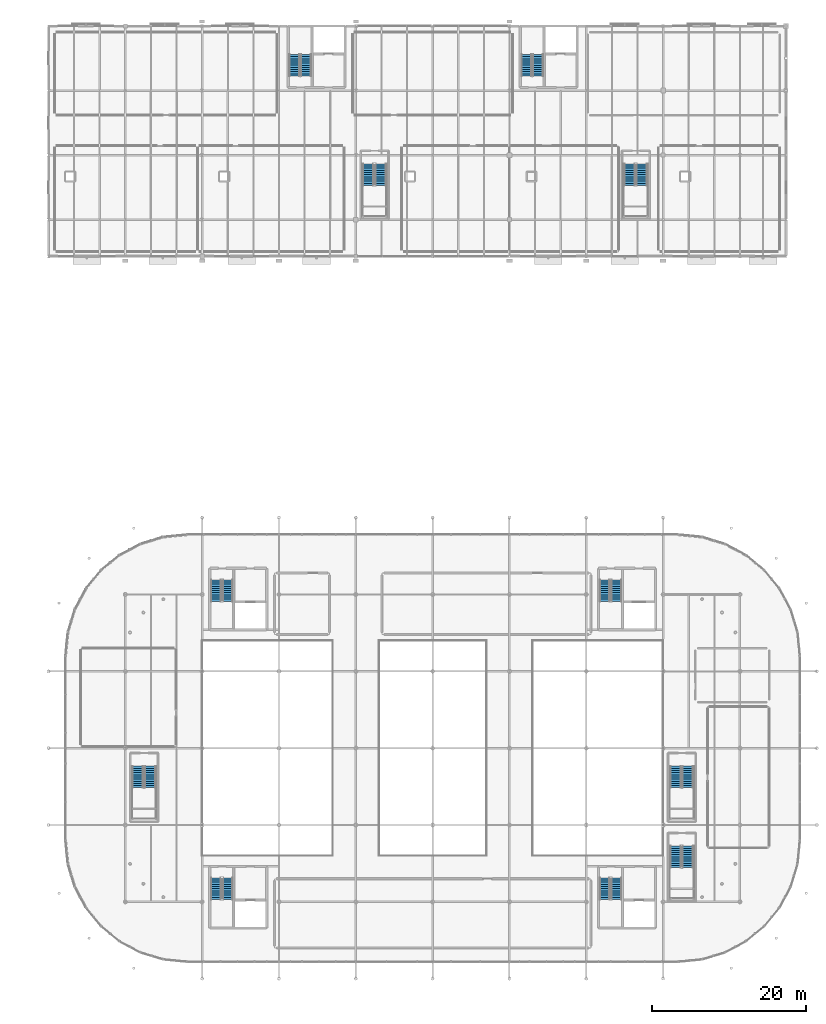
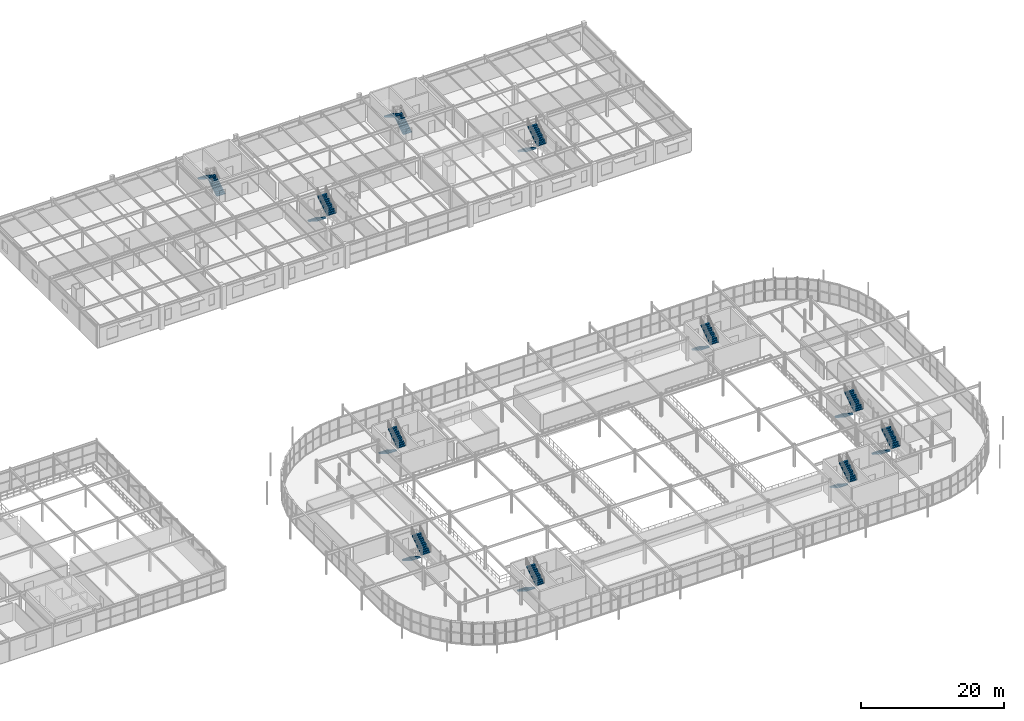
# One storey, part 83 of 98: 22 stair flights, 11 elements without a shape of their own.
"""IFC4 building model written with IfcOpenShell, lengths in metres."""

from ifc_helpers import new_model, si_unit, derived_unit, direction, frame, origin, place, context, subcontext, project, spatial, polyline, outline, extrude, material, type_object, element, aggregate, save


model = new_model("IFC4")

# Units and contexts
model_context = context("Model", 3, precision=1e-05, world=origin(), true_north=direction((0.0, 1.0)))
body_context = subcontext(model_context, "Body", "Model", "MODEL_VIEW")
ifc_project = project(units=[si_unit("LENGTHUNIT", "METRE"), si_unit("AREAUNIT", "SQUARE_METRE"), si_unit("VOLUMEUNIT", "CUBIC_METRE"), si_unit("PLANEANGLEUNIT", "RADIAN"), si_unit("MASSUNIT", "GRAM", prefix="KILO"), derived_unit("THERMALTRANSMITTANCEUNIT", [(si_unit("POWERUNIT", "WATT"), 1), (si_unit("LENGTHUNIT", "METRE"), -2), (si_unit("THERMODYNAMICTEMPERATUREUNIT", "KELVIN"), -1)])], contexts=[model_context])

# Site, building, storey
site_placement = place(None, origin())
site = spatial("IfcSite", under=ifc_project, at=site_placement, CompositionType="ELEMENT")
building_placement = place(site_placement, origin())
building = spatial("IfcBuilding", under=site, at=building_placement, Name="Cinnabar Yard Market Hall", CompositionType="ELEMENT")
storey_placement = place(building_placement, frame((0.0, 0.0, 4.5)))
storey = spatial("IfcBuildingStorey", under=building, at=storey_placement, Name="L01", CompositionType="ELEMENT", Elevation=4.5)

# Stair, stair flights
ifc_material_1 = material(Name="Concrete 40 MPa", Category="concrete")
stair_type_1 = type_object("IfcStairType", Name="ST-CORE", PredefinedType="HALF_TURN_STAIR", material=ifc_material_1)
stair_1_placement = place(storey_placement, origin())
stair_1 = element("IfcStair", 1, at=stair_1_placement, inside=storey, type_object=stair_type_1, Name="L01 Market Hall South-West Core Stair", PredefinedType="HALF_TURN_STAIR")
stair_flight_type_1 = type_object("IfcStairFlightType", Name="STF-CORE", PredefinedType="STRAIGHT", material=ifc_material_1)
stair_flight_1_placement = place(storey_placement, frame((87.81494140625, 27.110107421875, 0.0), z_axis=(0.0, 0.0, 1.0), x_axis=(0.0, -1.0, 0.0)))
stair_flight_1 = element("IfcStairFlight", 2, at=stair_flight_1_placement, type_object=stair_flight_type_1, Name="ST-C1 flight 1", NumberOfRisers=11, NumberOfTreads=10, PredefinedType="STRAIGHT", RiserHeight=0.177272727, TreadLength=0.28, context=body_context, shape_type="SweptSolid", body=[
    extrude(outline(polyline([(0.0, 0.0), (0.0, 0.17724609375), (0.280029296875, 0.17724609375), (0.280029296875, 0.3544921875), (0.56005859375, 0.3544921875), (0.56005859375, 0.53173828125), (0.840087890625, 0.53173828125), (0.840087890625, 0.708984375), (1.1201171875, 0.708984375), (1.1201171875, 0.886474609375), (1.39990234375, 0.886474609375), (1.39990234375, 1.063720703125), (1.679931640625, 1.063720703125), (1.679931640625, 1.240966796875), (1.9599609375, 1.240966796875), (1.9599609375, 1.418212890625), (2.239990234375, 1.418212890625), (2.239990234375, 1.595458984375), (2.52001953125, 1.595458984375), (2.52001953125, 1.772705078125), (2.800048828125, 1.772705078125), (2.800048828125, 1.949951171875), (2.800048828125, 1.59521484375), (0.2802734375, 0.0), (0.0, 0.0)])), frame((0.0, 0.675048828125, 0.0), z_axis=(0.0, -1.0, 0.0), x_axis=(1.0, 0.0, 0.0)), (0.0, 0.0, 1.0), 1.35009765625),
])
stair_flight_2_placement = place(storey_placement, frame((89.324951171875, 24.31005859375, 1.949951171875), z_axis=(0.0, 0.0, 1.0), x_axis=(0.0, 1.0, 0.0)))
stair_flight_2 = element("IfcStairFlight", 3, at=stair_flight_2_placement, type_object=stair_flight_type_1, Name="ST-C1 flight 2", NumberOfRisers=11, NumberOfTreads=10, PredefinedType="STRAIGHT", RiserHeight=0.177272727, TreadLength=0.28, context=body_context, shape_type="SweptSolid", body=[
    extrude(outline(polyline([(0.0, 0.0), (0.0, 0.17724609375), (0.280029296875, 0.17724609375), (0.280029296875, 0.3544921875), (0.56005859375, 0.3544921875), (0.56005859375, 0.53173828125), (0.840087890625, 0.53173828125), (0.840087890625, 0.708984375), (1.1201171875, 0.708984375), (1.1201171875, 0.886474609375), (1.39990234375, 0.886474609375), (1.39990234375, 1.063720703125), (1.679931640625, 1.063720703125), (1.679931640625, 1.240966796875), (1.9599609375, 1.240966796875), (1.9599609375, 1.418212890625), (2.239990234375, 1.418212890625), (2.239990234375, 1.595458984375), (2.52001953125, 1.595458984375), (2.52001953125, 1.772705078125), (2.800048828125, 1.772705078125), (2.800048828125, 1.949951171875), (2.800048828125, 1.59521484375), (0.2802734375, 0.0), (0.0, 0.0)])), frame((0.0, 0.675048828125, 0.0), z_axis=(0.0, -1.0, 0.0), x_axis=(1.0, 0.0, 0.0)), (0.0, 0.0, 1.0), 1.35009765625),
])
aggregate(stair_1, [stair_flight_1, stair_flight_2])

stair_2_placement = place(storey_placement, origin())
stair_2 = element("IfcStair", 4, at=stair_2_placement, inside=storey, type_object=stair_type_1, Name="L01 Market Hall South-East Core Stair", PredefinedType="HALF_TURN_STAIR")
stair_flight_3_placement = place(storey_placement, frame((138.4150390625, 27.110107421875, 0.0), z_axis=(0.0, 0.0, 1.0), x_axis=(0.0, -1.0, 0.0)))
stair_flight_3 = element("IfcStairFlight", 5, at=stair_flight_3_placement, type_object=stair_flight_type_1, Name="ST-C2 flight 1", NumberOfRisers=11, NumberOfTreads=10, PredefinedType="STRAIGHT", RiserHeight=0.177272727, TreadLength=0.28, context=body_context, shape_type="SweptSolid", body=[
    extrude(outline(polyline([(0.0, 0.0), (0.0, 0.17724609375), (0.280029296875, 0.17724609375), (0.280029296875, 0.3544921875), (0.56005859375, 0.3544921875), (0.56005859375, 0.53173828125), (0.840087890625, 0.53173828125), (0.840087890625, 0.708984375), (1.1201171875, 0.708984375), (1.1201171875, 0.886474609375), (1.39990234375, 0.886474609375), (1.39990234375, 1.063720703125), (1.679931640625, 1.063720703125), (1.679931640625, 1.240966796875), (1.9599609375, 1.240966796875), (1.9599609375, 1.418212890625), (2.239990234375, 1.418212890625), (2.239990234375, 1.595458984375), (2.52001953125, 1.595458984375), (2.52001953125, 1.772705078125), (2.800048828125, 1.772705078125), (2.800048828125, 1.949951171875), (2.800048828125, 1.59521484375), (0.2802734375, 0.0), (0.0, 0.0)])), frame((0.0, 0.675048828125, 0.0), z_axis=(0.0, -1.0, 0.0), x_axis=(1.0, 0.0, 0.0)), (0.0, 0.0, 1.0), 1.35009765625),
])
stair_flight_4_placement = place(storey_placement, frame((139.925048828125, 24.31005859375, 1.949951171875), z_axis=(0.0, 0.0, 1.0), x_axis=(0.0, 1.0, 0.0)))
stair_flight_4 = element("IfcStairFlight", 6, at=stair_flight_4_placement, type_object=stair_flight_type_1, Name="ST-C2 flight 2", NumberOfRisers=11, NumberOfTreads=10, PredefinedType="STRAIGHT", RiserHeight=0.177272727, TreadLength=0.28, context=body_context, shape_type="SweptSolid", body=[
    extrude(outline(polyline([(0.0, 0.0), (0.0, 0.17724609375), (0.280029296875, 0.17724609375), (0.280029296875, 0.3544921875), (0.56005859375, 0.3544921875), (0.56005859375, 0.53173828125), (0.840087890625, 0.53173828125), (0.840087890625, 0.708984375), (1.1201171875, 0.708984375), (1.1201171875, 0.886474609375), (1.39990234375, 0.886474609375), (1.39990234375, 1.063720703125), (1.679931640625, 1.063720703125), (1.679931640625, 1.240966796875), (1.9599609375, 1.240966796875), (1.9599609375, 1.418212890625), (2.239990234375, 1.418212890625), (2.239990234375, 1.595458984375), (2.52001953125, 1.595458984375), (2.52001953125, 1.772705078125), (2.800048828125, 1.772705078125), (2.800048828125, 1.949951171875), (2.800048828125, 1.59521484375), (0.2802734375, 0.0), (0.0, 0.0)])), frame((0.0, 0.675048828125, 0.0), z_axis=(0.0, -1.0, 0.0), x_axis=(1.0, 0.0, 0.0)), (0.0, 0.0, 1.0), 1.35009765625),
])
aggregate(stair_2, [stair_flight_3, stair_flight_4])

stair_3_placement = place(storey_placement, origin())
stair_3 = element("IfcStair", 7, at=stair_3_placement, inside=storey, type_object=stair_type_1, Name="L01 Market Hall North-West Core Stair", PredefinedType="HALF_TURN_STAIR")
stair_flight_5_placement = place(storey_placement, frame((87.81494140625, 65.909912109375, 0.0), z_axis=(0.0, 0.0, 1.0), x_axis=(0.0, -1.0, 0.0)))
stair_flight_5 = element("IfcStairFlight", 8, at=stair_flight_5_placement, type_object=stair_flight_type_1, Name="ST-C3 flight 1", NumberOfRisers=11, NumberOfTreads=10, PredefinedType="STRAIGHT", RiserHeight=0.177272727, TreadLength=0.28, context=body_context, shape_type="SweptSolid", body=[
    extrude(outline(polyline([(0.0, 0.0), (0.0, 0.17724609375), (0.280029296875, 0.17724609375), (0.280029296875, 0.3544921875), (0.56005859375, 0.3544921875), (0.56005859375, 0.53173828125), (0.840087890625, 0.53173828125), (0.840087890625, 0.708984375), (1.1201171875, 0.708984375), (1.1201171875, 0.886474609375), (1.39990234375, 0.886474609375), (1.39990234375, 1.063720703125), (1.679931640625, 1.063720703125), (1.679931640625, 1.240966796875), (1.9599609375, 1.240966796875), (1.9599609375, 1.418212890625), (2.239990234375, 1.418212890625), (2.239990234375, 1.595458984375), (2.52001953125, 1.595458984375), (2.52001953125, 1.772705078125), (2.800048828125, 1.772705078125), (2.800048828125, 1.949951171875), (2.800048828125, 1.59521484375), (0.2802734375, 0.0), (0.0, 0.0)])), frame((0.0, 0.675048828125, 0.0), z_axis=(0.0, -1.0, 0.0), x_axis=(1.0, 0.0, 0.0)), (0.0, 0.0, 1.0), 1.35009765625),
])
stair_flight_6_placement = place(storey_placement, frame((89.324951171875, 63.110107421875, 1.949951171875), z_axis=(0.0, 0.0, 1.0), x_axis=(0.0, 1.0, 0.0)))
stair_flight_6 = element("IfcStairFlight", 9, at=stair_flight_6_placement, type_object=stair_flight_type_1, Name="ST-C3 flight 2", NumberOfRisers=11, NumberOfTreads=10, PredefinedType="STRAIGHT", RiserHeight=0.177272727, TreadLength=0.28, context=body_context, shape_type="SweptSolid", body=[
    extrude(outline(polyline([(0.0, 0.0), (0.0, 0.17724609375), (0.280029296875, 0.17724609375), (0.280029296875, 0.3544921875), (0.56005859375, 0.3544921875), (0.56005859375, 0.53173828125), (0.840087890625, 0.53173828125), (0.840087890625, 0.708984375), (1.1201171875, 0.708984375), (1.1201171875, 0.886474609375), (1.39990234375, 0.886474609375), (1.39990234375, 1.063720703125), (1.679931640625, 1.063720703125), (1.679931640625, 1.240966796875), (1.9599609375, 1.240966796875), (1.9599609375, 1.418212890625), (2.239990234375, 1.418212890625), (2.239990234375, 1.595458984375), (2.52001953125, 1.595458984375), (2.52001953125, 1.772705078125), (2.800048828125, 1.772705078125), (2.800048828125, 1.949951171875), (2.800048828125, 1.59521484375), (0.2802734375, 0.0), (0.0, 0.0)])), frame((0.0, 0.675048828125, 0.0), z_axis=(0.0, -1.0, 0.0), x_axis=(1.0, 0.0, 0.0)), (0.0, 0.0, 1.0), 1.35009765625),
])
aggregate(stair_3, [stair_flight_5, stair_flight_6])

stair_4_placement = place(storey_placement, origin())
stair_4 = element("IfcStair", 10, at=stair_4_placement, inside=storey, type_object=stair_type_1, Name="L01 Cooking School West Core Stair", PredefinedType="HALF_TURN_STAIR")
stair_flight_7_placement = place(storey_placement, frame((99.52490234375, 131.489990234375, 0.0), z_axis=(0.0, 0.0, 1.0), x_axis=(0.0, 1.0, 0.0)))
stair_flight_7 = element("IfcStairFlight", 11, at=stair_flight_7_placement, type_object=stair_flight_type_1, Name="ST-C5 flight 1", NumberOfRisers=11, NumberOfTreads=10, PredefinedType="STRAIGHT", RiserHeight=0.177272727, TreadLength=0.28, context=body_context, shape_type="SweptSolid", body=[
    extrude(outline(polyline([(0.0, 0.0), (0.0, 0.17724609375), (0.280029296875, 0.17724609375), (0.280029296875, 0.3544921875), (0.56005859375, 0.3544921875), (0.56005859375, 0.53173828125), (0.840087890625, 0.53173828125), (0.840087890625, 0.708984375), (1.1201171875, 0.708984375), (1.1201171875, 0.886474609375), (1.39990234375, 0.886474609375), (1.39990234375, 1.063720703125), (1.679931640625, 1.063720703125), (1.679931640625, 1.240966796875), (1.9599609375, 1.240966796875), (1.9599609375, 1.418212890625), (2.239990234375, 1.418212890625), (2.239990234375, 1.595458984375), (2.52001953125, 1.595458984375), (2.52001953125, 1.772705078125), (2.800048828125, 1.772705078125), (2.800048828125, 1.949951171875), (2.800048828125, 1.59521484375), (0.2802734375, 0.0), (0.0, 0.0)])), frame((0.0, 0.675048828125, 0.0), z_axis=(0.0, -1.0, 0.0), x_axis=(1.0, 0.0, 0.0)), (0.0, 0.0, 1.0), 1.35009765625),
])
stair_flight_8_placement = place(storey_placement, frame((98.014892578125, 134.2900390625, 1.949951171875), z_axis=(0.0, 0.0, 1.0), x_axis=(0.0, -1.0, 0.0)))
stair_flight_8 = element("IfcStairFlight", 12, at=stair_flight_8_placement, type_object=stair_flight_type_1, Name="ST-C5 flight 2", NumberOfRisers=11, NumberOfTreads=10, PredefinedType="STRAIGHT", RiserHeight=0.177272727, TreadLength=0.28, context=body_context, shape_type="SweptSolid", body=[
    extrude(outline(polyline([(0.0, 0.0), (0.0, 0.17724609375), (0.280029296875, 0.17724609375), (0.280029296875, 0.3544921875), (0.56005859375, 0.3544921875), (0.56005859375, 0.53173828125), (0.840087890625, 0.53173828125), (0.840087890625, 0.708984375), (1.1201171875, 0.708984375), (1.1201171875, 0.886474609375), (1.39990234375, 0.886474609375), (1.39990234375, 1.063720703125), (1.679931640625, 1.063720703125), (1.679931640625, 1.240966796875), (1.9599609375, 1.240966796875), (1.9599609375, 1.418212890625), (2.239990234375, 1.418212890625), (2.239990234375, 1.595458984375), (2.52001953125, 1.595458984375), (2.52001953125, 1.772705078125), (2.800048828125, 1.772705078125), (2.800048828125, 1.949951171875), (2.800048828125, 1.59521484375), (0.2802734375, 0.0), (0.0, 0.0)])), frame((0.0, 0.675048828125, 0.0), z_axis=(0.0, -1.0, 0.0), x_axis=(1.0, 0.0, 0.0)), (0.0, 0.0, 1.0), 1.35009765625),
])
aggregate(stair_4, [stair_flight_7, stair_flight_8])

stair_5_placement = place(storey_placement, origin())
stair_5 = element("IfcStair", 13, at=stair_5_placement, inside=storey, type_object=stair_type_1, Name="L01 Cooking School East Core Stair", PredefinedType="HALF_TURN_STAIR")
stair_flight_9_placement = place(storey_placement, frame((129.72509765625, 131.489990234375, 0.0), z_axis=(0.0, 0.0, 1.0), x_axis=(0.0, 1.0, 0.0)))
stair_flight_9 = element("IfcStairFlight", 14, at=stair_flight_9_placement, type_object=stair_flight_type_1, Name="ST-C6 flight 1", NumberOfRisers=11, NumberOfTreads=10, PredefinedType="STRAIGHT", RiserHeight=0.177272727, TreadLength=0.28, context=body_context, shape_type="SweptSolid", body=[
    extrude(outline(polyline([(0.0, 0.0), (0.0, 0.17724609375), (0.280029296875, 0.17724609375), (0.280029296875, 0.3544921875), (0.56005859375, 0.3544921875), (0.56005859375, 0.53173828125), (0.840087890625, 0.53173828125), (0.840087890625, 0.708984375), (1.1201171875, 0.708984375), (1.1201171875, 0.886474609375), (1.39990234375, 0.886474609375), (1.39990234375, 1.063720703125), (1.679931640625, 1.063720703125), (1.679931640625, 1.240966796875), (1.9599609375, 1.240966796875), (1.9599609375, 1.418212890625), (2.239990234375, 1.418212890625), (2.239990234375, 1.595458984375), (2.52001953125, 1.595458984375), (2.52001953125, 1.772705078125), (2.800048828125, 1.772705078125), (2.800048828125, 1.949951171875), (2.800048828125, 1.59521484375), (0.2802734375, 0.0), (0.0, 0.0)])), frame((0.0, 0.675048828125, 0.0), z_axis=(0.0, -1.0, 0.0), x_axis=(1.0, 0.0, 0.0)), (0.0, 0.0, 1.0), 1.35009765625),
])
stair_flight_10_placement = place(storey_placement, frame((128.215087890625, 134.2900390625, 1.949951171875), z_axis=(0.0, 0.0, 1.0), x_axis=(0.0, -1.0, 0.0)))
stair_flight_10 = element("IfcStairFlight", 15, at=stair_flight_10_placement, type_object=stair_flight_type_1, Name="ST-C6 flight 2", NumberOfRisers=11, NumberOfTreads=10, PredefinedType="STRAIGHT", RiserHeight=0.177272727, TreadLength=0.28, context=body_context, shape_type="SweptSolid", body=[
    extrude(outline(polyline([(0.0, 0.0), (0.0, 0.17724609375), (0.280029296875, 0.17724609375), (0.280029296875, 0.3544921875), (0.56005859375, 0.3544921875), (0.56005859375, 0.53173828125), (0.840087890625, 0.53173828125), (0.840087890625, 0.708984375), (1.1201171875, 0.708984375), (1.1201171875, 0.886474609375), (1.39990234375, 0.886474609375), (1.39990234375, 1.063720703125), (1.679931640625, 1.063720703125), (1.679931640625, 1.240966796875), (1.9599609375, 1.240966796875), (1.9599609375, 1.418212890625), (2.239990234375, 1.418212890625), (2.239990234375, 1.595458984375), (2.52001953125, 1.595458984375), (2.52001953125, 1.772705078125), (2.800048828125, 1.772705078125), (2.800048828125, 1.949951171875), (2.800048828125, 1.59521484375), (0.2802734375, 0.0), (0.0, 0.0)])), frame((0.0, 0.675048828125, 0.0), z_axis=(0.0, -1.0, 0.0), x_axis=(1.0, 0.0, 0.0)), (0.0, 0.0, 1.0), 1.35009765625),
])
aggregate(stair_5, [stair_flight_9, stair_flight_10])

stair_6_placement = place(storey_placement, origin())
stair_6 = element("IfcStair", 16, at=stair_6_placement, inside=storey, type_object=stair_type_1, Name="L01 Cold-Chain Goods Core Stair", PredefinedType="HALF_TURN_STAIR")
stair_flight_11_placement = place(storey_placement, frame((138.4150390625, 65.909912109375, 0.0), z_axis=(0.0, 0.0, 1.0), x_axis=(0.0, -1.0, 0.0)))
stair_flight_11 = element("IfcStairFlight", 17, at=stair_flight_11_placement, type_object=stair_flight_type_1, Name="ST-C7 flight 1", NumberOfRisers=11, NumberOfTreads=10, PredefinedType="STRAIGHT", RiserHeight=0.177272727, TreadLength=0.28, context=body_context, shape_type="SweptSolid", body=[
    extrude(outline(polyline([(0.0, 0.0), (0.0, 0.17724609375), (0.280029296875, 0.17724609375), (0.280029296875, 0.3544921875), (0.56005859375, 0.3544921875), (0.56005859375, 0.53173828125), (0.840087890625, 0.53173828125), (0.840087890625, 0.708984375), (1.1201171875, 0.708984375), (1.1201171875, 0.886474609375), (1.39990234375, 0.886474609375), (1.39990234375, 1.063720703125), (1.679931640625, 1.063720703125), (1.679931640625, 1.240966796875), (1.9599609375, 1.240966796875), (1.9599609375, 1.418212890625), (2.239990234375, 1.418212890625), (2.239990234375, 1.595458984375), (2.52001953125, 1.595458984375), (2.52001953125, 1.772705078125), (2.800048828125, 1.772705078125), (2.800048828125, 1.949951171875), (2.800048828125, 1.59521484375), (0.2802734375, 0.0), (0.0, 0.0)])), frame((0.0, 0.675048828125, 0.0), z_axis=(0.0, -1.0, 0.0), x_axis=(1.0, 0.0, 0.0)), (0.0, 0.0, 1.0), 1.35009765625),
])
stair_flight_12_placement = place(storey_placement, frame((139.925048828125, 63.110107421875, 1.949951171875), z_axis=(0.0, 0.0, 1.0), x_axis=(0.0, 1.0, 0.0)))
stair_flight_12 = element("IfcStairFlight", 18, at=stair_flight_12_placement, type_object=stair_flight_type_1, Name="ST-C7 flight 2", NumberOfRisers=11, NumberOfTreads=10, PredefinedType="STRAIGHT", RiserHeight=0.177272727, TreadLength=0.28, context=body_context, shape_type="SweptSolid", body=[
    extrude(outline(polyline([(0.0, 0.0), (0.0, 0.17724609375), (0.280029296875, 0.17724609375), (0.280029296875, 0.3544921875), (0.56005859375, 0.3544921875), (0.56005859375, 0.53173828125), (0.840087890625, 0.53173828125), (0.840087890625, 0.708984375), (1.1201171875, 0.708984375), (1.1201171875, 0.886474609375), (1.39990234375, 0.886474609375), (1.39990234375, 1.063720703125), (1.679931640625, 1.063720703125), (1.679931640625, 1.240966796875), (1.9599609375, 1.240966796875), (1.9599609375, 1.418212890625), (2.239990234375, 1.418212890625), (2.239990234375, 1.595458984375), (2.52001953125, 1.595458984375), (2.52001953125, 1.772705078125), (2.800048828125, 1.772705078125), (2.800048828125, 1.949951171875), (2.800048828125, 1.59521484375), (0.2802734375, 0.0), (0.0, 0.0)])), frame((0.0, 0.675048828125, 0.0), z_axis=(0.0, -1.0, 0.0), x_axis=(1.0, 0.0, 0.0)), (0.0, 0.0, 1.0), 1.35009765625),
])
aggregate(stair_6, [stair_flight_11, stair_flight_12])

ifc_material_2 = material(Name="Spotted gum timber treads on steel Grade 350 (350 MPa)", Category="steel")
stair_type_2 = type_object("IfcStairType", Name="ST-FEAT", PredefinedType="HALF_TURN_STAIR", material=ifc_material_2)
stair_7_placement = place(storey_placement, origin())
stair_7 = element("IfcStair", 19, at=stair_7_placement, inside=storey, type_object=stair_type_2, Name="L01 Feature Stair ST-F1", PredefinedType="HALF_TURN_STAIR")
stair_flight_type_2 = type_object("IfcStairFlightType", Name="STF-FEAT", PredefinedType="STRAIGHT", material=ifc_material_2)
stair_flight_13_placement = place(storey_placement, frame((77.625, 41.64990234375, 0.0), z_axis=(0.0, 0.0, 1.0), x_axis=(0.0, -1.0, 0.0)))
stair_flight_13 = element("IfcStairFlight", 20, at=stair_flight_13_placement, type_object=stair_flight_type_2, Name="ST-F1 flight 1", NumberOfRisers=11, NumberOfTreads=10, PredefinedType="STRAIGHT", RiserHeight=0.177272727, TreadLength=0.28, context=body_context, shape_type="SweptSolid", body=[
    extrude(outline(polyline([(0.0, 0.0), (0.0, 0.17724609375), (0.280029296875, 0.17724609375), (0.280029296875, 0.3544921875), (0.56005859375, 0.3544921875), (0.56005859375, 0.53173828125), (0.840087890625, 0.53173828125), (0.840087890625, 0.708984375), (1.1201171875, 0.708984375), (1.1201171875, 0.886474609375), (1.39990234375, 0.886474609375), (1.39990234375, 1.063720703125), (1.679931640625, 1.063720703125), (1.679931640625, 1.240966796875), (1.9599609375, 1.240966796875), (1.9599609375, 1.418212890625), (2.239990234375, 1.418212890625), (2.239990234375, 1.595458984375), (2.52001953125, 1.595458984375), (2.52001953125, 1.772705078125), (2.800048828125, 1.772705078125), (2.800048828125, 1.949951171875), (2.800048828125, 1.59521484375), (0.2802734375, 0.0), (0.0, 0.0)])), frame((0.0, 0.72509765625, 0.0), z_axis=(0.0, -1.0, 0.0), x_axis=(1.0, 0.0, 0.0)), (0.0, 0.0, 1.0), 1.449951171875),
])
stair_flight_14_placement = place(storey_placement, frame((79.235107421875, 38.85009765625, 1.949951171875), z_axis=(0.0, 0.0, 1.0), x_axis=(0.0, 1.0, 0.0)))
stair_flight_14 = element("IfcStairFlight", 21, at=stair_flight_14_placement, type_object=stair_flight_type_2, Name="ST-F1 flight 2", NumberOfRisers=11, NumberOfTreads=10, PredefinedType="STRAIGHT", RiserHeight=0.177272727, TreadLength=0.28, context=body_context, shape_type="SweptSolid", body=[
    extrude(outline(polyline([(0.0, 0.0), (0.0, 0.17724609375), (0.280029296875, 0.17724609375), (0.280029296875, 0.3544921875), (0.56005859375, 0.3544921875), (0.56005859375, 0.53173828125), (0.840087890625, 0.53173828125), (0.840087890625, 0.708984375), (1.1201171875, 0.708984375), (1.1201171875, 0.886474609375), (1.39990234375, 0.886474609375), (1.39990234375, 1.063720703125), (1.679931640625, 1.063720703125), (1.679931640625, 1.240966796875), (1.9599609375, 1.240966796875), (1.9599609375, 1.418212890625), (2.239990234375, 1.418212890625), (2.239990234375, 1.595458984375), (2.52001953125, 1.595458984375), (2.52001953125, 1.772705078125), (2.800048828125, 1.772705078125), (2.800048828125, 1.949951171875), (2.800048828125, 1.59521484375), (0.2802734375, 0.0), (0.0, 0.0)])), frame((0.0, 0.72509765625, 0.0), z_axis=(0.0, -1.0, 0.0), x_axis=(1.0, 0.0, 0.0)), (0.0, 0.0, 1.0), 1.449951171875),
])
aggregate(stair_7, [stair_flight_13, stair_flight_14])

stair_8_placement = place(storey_placement, origin())
stair_8 = element("IfcStair", 22, at=stair_8_placement, inside=storey, type_object=stair_type_2, Name="L01 Feature Stair ST-F2", PredefinedType="HALF_TURN_STAIR")
stair_flight_15_placement = place(storey_placement, frame((147.625, 41.64990234375, 0.0), z_axis=(0.0, 0.0, 1.0), x_axis=(0.0, -1.0, 0.0)))
stair_flight_15 = element("IfcStairFlight", 23, at=stair_flight_15_placement, type_object=stair_flight_type_2, Name="ST-F2 flight 1", NumberOfRisers=11, NumberOfTreads=10, PredefinedType="STRAIGHT", RiserHeight=0.177272727, TreadLength=0.28, context=body_context, shape_type="SweptSolid", body=[
    extrude(outline(polyline([(0.0, 0.0), (0.0, 0.17724609375), (0.280029296875, 0.17724609375), (0.280029296875, 0.3544921875), (0.56005859375, 0.3544921875), (0.56005859375, 0.53173828125), (0.840087890625, 0.53173828125), (0.840087890625, 0.708984375), (1.1201171875, 0.708984375), (1.1201171875, 0.886474609375), (1.39990234375, 0.886474609375), (1.39990234375, 1.063720703125), (1.679931640625, 1.063720703125), (1.679931640625, 1.240966796875), (1.9599609375, 1.240966796875), (1.9599609375, 1.418212890625), (2.239990234375, 1.418212890625), (2.239990234375, 1.595458984375), (2.52001953125, 1.595458984375), (2.52001953125, 1.772705078125), (2.800048828125, 1.772705078125), (2.800048828125, 1.949951171875), (2.800048828125, 1.59521484375), (0.2802734375, 0.0), (0.0, 0.0)])), frame((0.0, 0.72509765625, 0.0), z_axis=(0.0, -1.0, 0.0), x_axis=(1.0, 0.0, 0.0)), (0.0, 0.0, 1.0), 1.449951171875),
])
stair_flight_16_placement = place(storey_placement, frame((149.235107421875, 38.85009765625, 1.949951171875), z_axis=(0.0, 0.0, 1.0), x_axis=(0.0, 1.0, 0.0)))
stair_flight_16 = element("IfcStairFlight", 24, at=stair_flight_16_placement, type_object=stair_flight_type_2, Name="ST-F2 flight 2", NumberOfRisers=11, NumberOfTreads=10, PredefinedType="STRAIGHT", RiserHeight=0.177272727, TreadLength=0.28, context=body_context, shape_type="SweptSolid", body=[
    extrude(outline(polyline([(0.0, 0.0), (0.0, 0.17724609375), (0.280029296875, 0.17724609375), (0.280029296875, 0.3544921875), (0.56005859375, 0.3544921875), (0.56005859375, 0.53173828125), (0.840087890625, 0.53173828125), (0.840087890625, 0.708984375), (1.1201171875, 0.708984375), (1.1201171875, 0.886474609375), (1.39990234375, 0.886474609375), (1.39990234375, 1.063720703125), (1.679931640625, 1.063720703125), (1.679931640625, 1.240966796875), (1.9599609375, 1.240966796875), (1.9599609375, 1.418212890625), (2.239990234375, 1.418212890625), (2.239990234375, 1.595458984375), (2.52001953125, 1.595458984375), (2.52001953125, 1.772705078125), (2.800048828125, 1.772705078125), (2.800048828125, 1.949951171875), (2.800048828125, 1.59521484375), (0.2802734375, 0.0), (0.0, 0.0)])), frame((0.0, 0.72509765625, 0.0), z_axis=(0.0, -1.0, 0.0), x_axis=(1.0, 0.0, 0.0)), (0.0, 0.0, 1.0), 1.449951171875),
])
aggregate(stair_8, [stair_flight_15, stair_flight_16])

stair_9_placement = place(storey_placement, origin())
stair_9 = element("IfcStair", 25, at=stair_9_placement, inside=storey, type_object=stair_type_2, Name="L01 Feature Stair ST-F4", PredefinedType="HALF_TURN_STAIR")
stair_flight_17_placement = place(storey_placement, frame((107.625, 120.050048828125, 0.0), z_axis=(0.0, 0.0, 1.0), x_axis=(0.0, -1.0, 0.0)))
stair_flight_17 = element("IfcStairFlight", 26, at=stair_flight_17_placement, type_object=stair_flight_type_2, Name="ST-F4 flight 1", NumberOfRisers=11, NumberOfTreads=10, PredefinedType="STRAIGHT", RiserHeight=0.177272727, TreadLength=0.28, context=body_context, shape_type="SweptSolid", body=[
    extrude(outline(polyline([(0.0, 0.0), (0.0, 0.17724609375), (0.280029296875, 0.17724609375), (0.280029296875, 0.3544921875), (0.56005859375, 0.3544921875), (0.56005859375, 0.53173828125), (0.840087890625, 0.53173828125), (0.840087890625, 0.708984375), (1.1201171875, 0.708984375), (1.1201171875, 0.886474609375), (1.39990234375, 0.886474609375), (1.39990234375, 1.063720703125), (1.679931640625, 1.063720703125), (1.679931640625, 1.240966796875), (1.9599609375, 1.240966796875), (1.9599609375, 1.418212890625), (2.239990234375, 1.418212890625), (2.239990234375, 1.595458984375), (2.52001953125, 1.595458984375), (2.52001953125, 1.772705078125), (2.800048828125, 1.772705078125), (2.800048828125, 1.949951171875), (2.800048828125, 1.59521484375), (0.2802734375, 0.0), (0.0, 0.0)])), frame((0.0, 0.72509765625, 0.0), z_axis=(0.0, -1.0, 0.0), x_axis=(1.0, 0.0, 0.0)), (0.0, 0.0, 1.0), 1.449951171875),
])
stair_flight_18_placement = place(storey_placement, frame((109.235107421875, 117.25, 1.949951171875), z_axis=(0.0, 0.0, 1.0), x_axis=(0.0, 1.0, 0.0)))
stair_flight_18 = element("IfcStairFlight", 27, at=stair_flight_18_placement, type_object=stair_flight_type_2, Name="ST-F4 flight 2", NumberOfRisers=11, NumberOfTreads=10, PredefinedType="STRAIGHT", RiserHeight=0.177272727, TreadLength=0.28, context=body_context, shape_type="SweptSolid", body=[
    extrude(outline(polyline([(0.0, 0.0), (0.0, 0.17724609375), (0.280029296875, 0.17724609375), (0.280029296875, 0.3544921875), (0.56005859375, 0.3544921875), (0.56005859375, 0.53173828125), (0.840087890625, 0.53173828125), (0.840087890625, 0.708984375), (1.1201171875, 0.708984375), (1.1201171875, 0.886474609375), (1.39990234375, 0.886474609375), (1.39990234375, 1.063720703125), (1.679931640625, 1.063720703125), (1.679931640625, 1.240966796875), (1.9599609375, 1.240966796875), (1.9599609375, 1.418212890625), (2.239990234375, 1.418212890625), (2.239990234375, 1.595458984375), (2.52001953125, 1.595458984375), (2.52001953125, 1.772705078125), (2.800048828125, 1.772705078125), (2.800048828125, 1.949951171875), (2.800048828125, 1.59521484375), (0.2802734375, 0.0), (0.0, 0.0)])), frame((0.0, 0.72509765625, 0.0), z_axis=(0.0, -1.0, 0.0), x_axis=(1.0, 0.0, 0.0)), (0.0, 0.0, 1.0), 1.449951171875),
])
aggregate(stair_9, [stair_flight_17, stair_flight_18])

stair_10_placement = place(storey_placement, origin())
stair_10 = element("IfcStair", 28, at=stair_10_placement, inside=storey, type_object=stair_type_2, Name="L01 Feature Stair ST-F5", PredefinedType="HALF_TURN_STAIR")
stair_flight_19_placement = place(storey_placement, frame((147.625, 31.25, 0.0), z_axis=(0.0, 0.0, 1.0), x_axis=(0.0, -1.0, 0.0)))
stair_flight_19 = element("IfcStairFlight", 29, at=stair_flight_19_placement, type_object=stair_flight_type_2, Name="ST-F5 flight 1", NumberOfRisers=11, NumberOfTreads=10, PredefinedType="STRAIGHT", RiserHeight=0.177272727, TreadLength=0.28, context=body_context, shape_type="SweptSolid", body=[
    extrude(outline(polyline([(0.0, 0.0), (0.0, 0.17724609375), (0.280029296875, 0.17724609375), (0.280029296875, 0.3544921875), (0.56005859375, 0.3544921875), (0.56005859375, 0.53173828125), (0.840087890625, 0.53173828125), (0.840087890625, 0.708984375), (1.1201171875, 0.708984375), (1.1201171875, 0.886474609375), (1.39990234375, 0.886474609375), (1.39990234375, 1.063720703125), (1.679931640625, 1.063720703125), (1.679931640625, 1.240966796875), (1.9599609375, 1.240966796875), (1.9599609375, 1.418212890625), (2.239990234375, 1.418212890625), (2.239990234375, 1.595458984375), (2.52001953125, 1.595458984375), (2.52001953125, 1.772705078125), (2.800048828125, 1.772705078125), (2.800048828125, 1.949951171875), (2.800048828125, 1.59521484375), (0.2802734375, 0.0), (0.0, 0.0)])), frame((0.0, 0.72509765625, 0.0), z_axis=(0.0, -1.0, 0.0), x_axis=(1.0, 0.0, 0.0)), (0.0, 0.0, 1.0), 1.449951171875),
])
stair_flight_20_placement = place(storey_placement, frame((149.235107421875, 28.449951171875, 1.949951171875), z_axis=(0.0, 0.0, 1.0), x_axis=(0.0, 1.0, 0.0)))
stair_flight_20 = element("IfcStairFlight", 30, at=stair_flight_20_placement, type_object=stair_flight_type_2, Name="ST-F5 flight 2", NumberOfRisers=11, NumberOfTreads=10, PredefinedType="STRAIGHT", RiserHeight=0.177272727, TreadLength=0.28, context=body_context, shape_type="SweptSolid", body=[
    extrude(outline(polyline([(0.0, 0.0), (0.0, 0.17724609375), (0.280029296875, 0.17724609375), (0.280029296875, 0.3544921875), (0.56005859375, 0.3544921875), (0.56005859375, 0.53173828125), (0.840087890625, 0.53173828125), (0.840087890625, 0.708984375), (1.1201171875, 0.708984375), (1.1201171875, 0.886474609375), (1.39990234375, 0.886474609375), (1.39990234375, 1.063720703125), (1.679931640625, 1.063720703125), (1.679931640625, 1.240966796875), (1.9599609375, 1.240966796875), (1.9599609375, 1.418212890625), (2.239990234375, 1.418212890625), (2.239990234375, 1.595458984375), (2.52001953125, 1.595458984375), (2.52001953125, 1.772705078125), (2.800048828125, 1.772705078125), (2.800048828125, 1.949951171875), (2.800048828125, 1.59521484375), (0.2802734375, 0.0), (0.0, 0.0)])), frame((0.0, 0.72509765625, 0.0), z_axis=(0.0, -1.0, 0.0), x_axis=(1.0, 0.0, 0.0)), (0.0, 0.0, 1.0), 1.449951171875),
])
aggregate(stair_10, [stair_flight_19, stair_flight_20])

stair_11_placement = place(storey_placement, origin())
stair_11 = element("IfcStair", 31, at=stair_11_placement, inside=storey, type_object=stair_type_2, Name="L01 Feature Stair ST-F6", PredefinedType="HALF_TURN_STAIR")
stair_flight_21_placement = place(storey_placement, frame((141.625, 120.050048828125, 0.0), z_axis=(0.0, 0.0, 1.0), x_axis=(0.0, -1.0, 0.0)))
stair_flight_21 = element("IfcStairFlight", 32, at=stair_flight_21_placement, type_object=stair_flight_type_2, Name="ST-F6 flight 1", NumberOfRisers=11, NumberOfTreads=10, PredefinedType="STRAIGHT", RiserHeight=0.177272727, TreadLength=0.28, context=body_context, shape_type="SweptSolid", body=[
    extrude(outline(polyline([(0.0, 0.0), (0.0, 0.17724609375), (0.280029296875, 0.17724609375), (0.280029296875, 0.3544921875), (0.56005859375, 0.3544921875), (0.56005859375, 0.53173828125), (0.840087890625, 0.53173828125), (0.840087890625, 0.708984375), (1.1201171875, 0.708984375), (1.1201171875, 0.886474609375), (1.39990234375, 0.886474609375), (1.39990234375, 1.063720703125), (1.679931640625, 1.063720703125), (1.679931640625, 1.240966796875), (1.9599609375, 1.240966796875), (1.9599609375, 1.418212890625), (2.239990234375, 1.418212890625), (2.239990234375, 1.595458984375), (2.52001953125, 1.595458984375), (2.52001953125, 1.772705078125), (2.800048828125, 1.772705078125), (2.800048828125, 1.949951171875), (2.800048828125, 1.59521484375), (0.2802734375, 0.0), (0.0, 0.0)])), frame((0.0, 0.72509765625, 0.0), z_axis=(0.0, -1.0, 0.0), x_axis=(1.0, 0.0, 0.0)), (0.0, 0.0, 1.0), 1.449951171875),
])
stair_flight_22_placement = place(storey_placement, frame((143.235107421875, 117.25, 1.949951171875), z_axis=(0.0, 0.0, 1.0), x_axis=(0.0, 1.0, 0.0)))
stair_flight_22 = element("IfcStairFlight", 33, at=stair_flight_22_placement, type_object=stair_flight_type_2, Name="ST-F6 flight 2", NumberOfRisers=11, NumberOfTreads=10, PredefinedType="STRAIGHT", RiserHeight=0.177272727, TreadLength=0.28, context=body_context, shape_type="SweptSolid", body=[
    extrude(outline(polyline([(0.0, 0.0), (0.0, 0.17724609375), (0.280029296875, 0.17724609375), (0.280029296875, 0.3544921875), (0.56005859375, 0.3544921875), (0.56005859375, 0.53173828125), (0.840087890625, 0.53173828125), (0.840087890625, 0.708984375), (1.1201171875, 0.708984375), (1.1201171875, 0.886474609375), (1.39990234375, 0.886474609375), (1.39990234375, 1.063720703125), (1.679931640625, 1.063720703125), (1.679931640625, 1.240966796875), (1.9599609375, 1.240966796875), (1.9599609375, 1.418212890625), (2.239990234375, 1.418212890625), (2.239990234375, 1.595458984375), (2.52001953125, 1.595458984375), (2.52001953125, 1.772705078125), (2.800048828125, 1.772705078125), (2.800048828125, 1.949951171875), (2.800048828125, 1.59521484375), (0.2802734375, 0.0), (0.0, 0.0)])), frame((0.0, 0.72509765625, 0.0), z_axis=(0.0, -1.0, 0.0), x_axis=(1.0, 0.0, 0.0)), (0.0, 0.0, 1.0), 1.449951171875),
])
aggregate(stair_11, [stair_flight_21, stair_flight_22])

save(model, "model.ifc")
